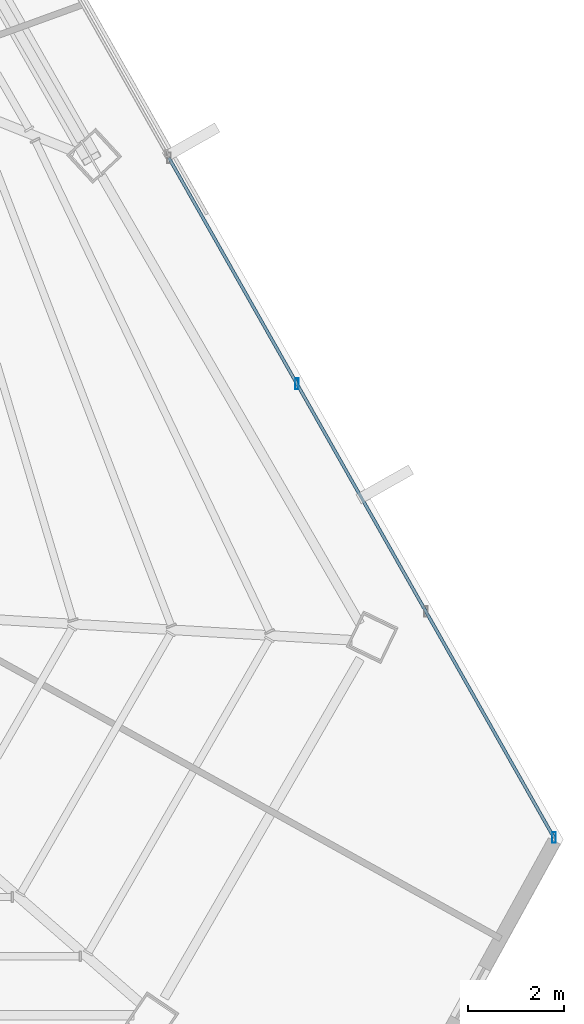
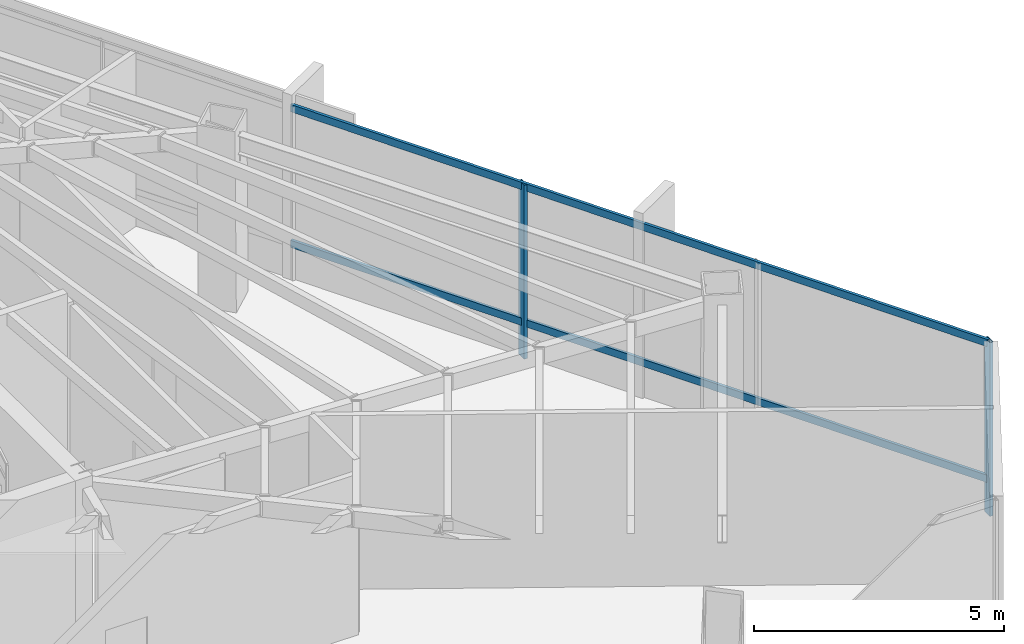
# One storey, part 20 of 37: 4 members, 1 element without a shape of its own.
"""IFC4 building model written with IfcOpenShell, lengths in metres."""

from ifc_helpers import new_model, si_unit, direction, frame, origin, origin_2d, place, context, subcontext, project, spatial, hollow_rectangle, extrude, source, transform, mapped, material, material_profile, profile_set, type_object, type_shapes, element, aggregate, save


model = new_model("IFC4")

# Units and contexts
model_context = context("Model", 3, precision=1e-05, world=origin(), true_north=direction((0.0, 1.0)))
body_context = subcontext(model_context, "Body", "Model", "MODEL_VIEW")
ifc_project = project(units=[si_unit("LENGTHUNIT", "METRE"), si_unit("AREAUNIT", "SQUARE_METRE"), si_unit("VOLUMEUNIT", "CUBIC_METRE"), si_unit("PLANEANGLEUNIT", "RADIAN"), si_unit("MASSUNIT", "GRAM", prefix="KILO")], contexts=[model_context])

# Site, building, storey
site_placement = place(None, origin())
site = spatial("IfcSite", under=ifc_project, at=site_placement, CompositionType="ELEMENT")
building_placement = place(site_placement, origin())
building = spatial("IfcBuilding", under=site, at=building_placement, Name="Caelisora Broadcast Tower", CompositionType="ELEMENT")
storey_placement = place(building_placement, frame((0.0, 0.0, 225.35009765625)))
storey = spatial("IfcBuildingStorey", under=building, at=storey_placement, Name="L59", CompositionType="ELEMENT", Elevation=225.35009765625)

# Curtain wall, members
ifc_material_1 = material(Name="Unitised Aluminium and Low-E Glass Curtain Wall", Category="glass")
curtain_wall_type = type_object("IfcCurtainWallType", Name="CW-SKY", PredefinedType="NOTDEFINED", material=ifc_material_1)
curtain_wall_placement = place(storey_placement, origin())
curtain_wall = element("IfcCurtainWall", 1, at=curtain_wall_placement, inside=storey, type_object=curtain_wall_type, Name="L59 curtain wall CW-SKY", PredefinedType="NOTDEFINED")
ifc_material_2 = material(Name="Aluminium 6063-T6 Anodised Terracotta Bronze", Category="aluminium")
ifc_material_profile_1 = material_profile(ifc_material_2, hollow_rectangle(XDim=0.074951171875, YDim=0.219970703125, WallThickness=0.00390625, at=origin_2d()), Name="Aluminium 6063-T6 Anodised Terracotta Bronze")
ifc_profile_set_1 = profile_set([ifc_material_profile_1], Name="Aluminium 6063-T6 Anodised Terracotta Bronze")
member_type_1 = type_object("IfcMemberType", Name="CWM-01", PredefinedType="MULLION", material=ifc_profile_set_1)
shared_shape_1 = source(origin(), body_context, "Body", "SweptSolid", [
    extrude(hollow_rectangle(XDim=0.074951171875, YDim=0.219970703125, WallThickness=0.00390625, at=origin_2d()), origin(), (0.0, 0.0, 1.0), 4.25),
])
type_shapes(member_type_1, [shared_shape_1])
member_1_placement = place(storey_placement, frame((58.314697265625, 21.91064453125, 0.0), z_axis=(0.0, 0.0, 1.0), x_axis=(1.0, 0.0, 0.0)))
member_1 = element("IfcMember", 2, at=member_1_placement, type_object=member_type_1, Name="L59-CW-B03 mullion #1", PredefinedType="MULLION", context=body_context, shape_type="MappedRepresentation", body=[
    mapped(shared_shape_1, transform((0.0, 0.0, 0.0), scale=1.0)),
])
member_2_placement = place(storey_placement, frame((63.6484375, 12.494384765625, 0.0), z_axis=(0.0, 0.0, 1.0), x_axis=(1.0, 0.0, 0.0)))
member_2 = element("IfcMember", 3, at=member_2_placement, type_object=member_type_1, Name="L59-CW-B03 mullion #3", PredefinedType="MULLION", context=body_context, shape_type="MappedRepresentation", body=[
    mapped(shared_shape_1, transform((0.0, 0.0, 0.0), scale=1.0)),
])
ifc_material_profile_2 = material_profile(ifc_material_2, hollow_rectangle(XDim=0.06494140625, YDim=0.179931640625, WallThickness=0.00341796875, at=origin_2d()), Name="Aluminium 6063-T6 Anodised Terracotta Bronze")
ifc_profile_set_2 = profile_set([ifc_material_profile_2], Name="Aluminium 6063-T6 Anodised Terracotta Bronze")
member_type_2 = type_object("IfcMemberType", Name="CWT-01", PredefinedType="USERDEFINED", material=ifc_profile_set_2)
shared_shape_2 = source(origin(), body_context, "Body", "SweptSolid", [
    extrude(hollow_rectangle(XDim=0.06494140625, YDim=0.179931640625, WallThickness=0.00341796875, at=origin_2d()), origin(), (0.0, 0.0, 1.0), 16.207763671875),
])
type_shapes(member_type_2, [shared_shape_2])
member_3_placement = place(storey_placement, frame((55.660400390625, 26.596923828125, 0.849853515625), z_axis=(0.492853696767, -0.870112195974, 0.0), x_axis=(0.870112195974, 0.492853696767, 0.0)))
member_3 = element("IfcMember", 4, at=member_3_placement, type_object=member_type_2, Name="L59-CW-B03 transom #1", ObjectType="TRANSOM", PredefinedType="USERDEFINED", context=body_context, shape_type="MappedRepresentation", body=[
    mapped(shared_shape_2, transform((0.0, 0.0, 0.0), scale=1.0)),
])
member_4_placement = place(storey_placement, frame((55.660400390625, 26.596923828125, 4.169921875), z_axis=(0.492853696767, -0.870112195974, 0.0), x_axis=(0.870112195974, 0.492853696767, 0.0)))
member_4 = element("IfcMember", 5, at=member_4_placement, type_object=member_type_2, Name="L59-CW-B03 transom #2", ObjectType="TRANSOM", PredefinedType="USERDEFINED", context=body_context, shape_type="MappedRepresentation", body=[
    mapped(shared_shape_2, transform((0.0, 0.0, 0.0), scale=1.0)),
])
aggregate(curtain_wall, [member_1, member_2, member_3, member_4])

save(model, "model.ifc")
